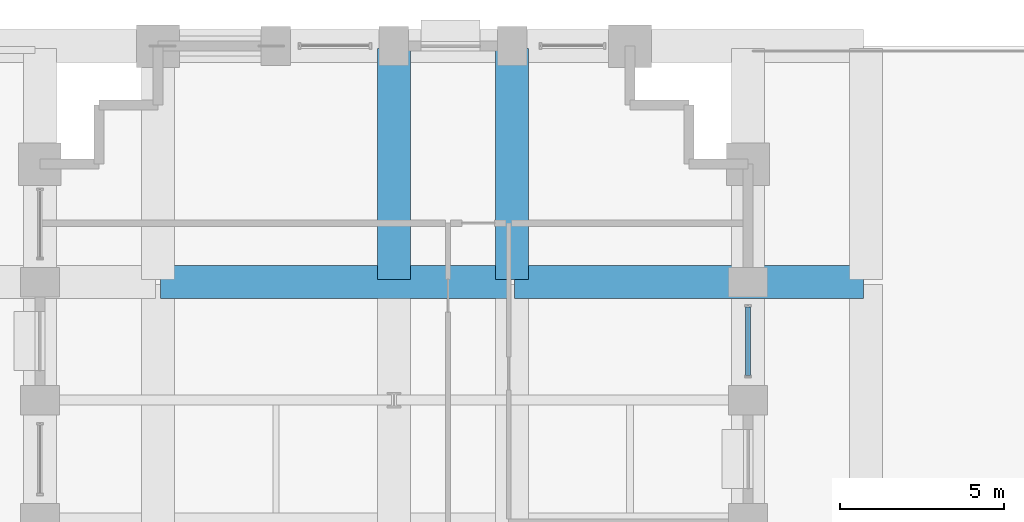
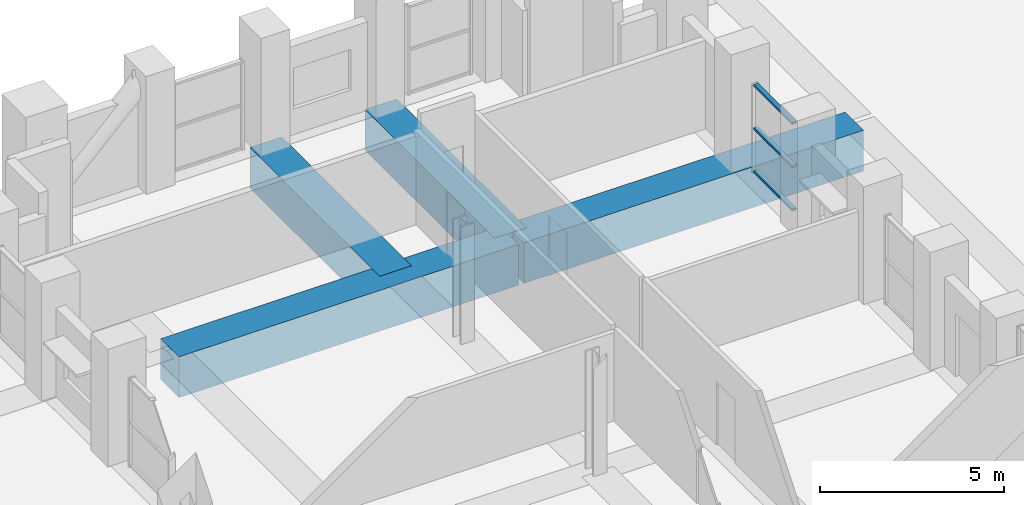
# One storey, part 26 of 39: 4 beams, 3 members, 1 element without a shape of its own.
"""IFC4 building model written with IfcOpenShell, lengths in metres."""

from ifc_helpers import new_model, si_unit, direction, frame, origin, origin_2d, place, context, subcontext, project, spatial, rectangle, hollow_rectangle, extrude, material, layer, layer_set, material_profile, profile_set, type_object, element, aggregate, save


model = new_model("IFC4")

# Units and contexts
model_context = context("Model", 3, precision=1e-05, world=origin(), true_north=direction((0.0, 1.0)))
body_context = subcontext(model_context, "Body", "Model", "MODEL_VIEW")
ifc_project = project(units=[si_unit("LENGTHUNIT", "METRE"), si_unit("AREAUNIT", "SQUARE_METRE"), si_unit("VOLUMEUNIT", "CUBIC_METRE"), si_unit("PLANEANGLEUNIT", "RADIAN"), si_unit("MASSUNIT", "GRAM", prefix="KILO")], contexts=[model_context])

# Site, building, storey
site_placement = place(None, origin())
site = spatial("IfcSite", under=ifc_project, at=site_placement, CompositionType="ELEMENT")
building_placement = place(site_placement, origin())
building = spatial("IfcBuilding", under=site, at=building_placement, Name="Solnavia Interchange Tower", CompositionType="ELEMENT")
storey_placement = place(building_placement, frame((0.0, 0.0, 24.0)))
storey = spatial("IfcBuildingStorey", under=building, at=storey_placement, Name="L05", CompositionType="ELEMENT", Elevation=24.0)

# Beams
ifc_material_1 = material(Name="Concrete C60/75", Category="concrete")
ifc_material_profile_1 = material_profile(ifc_material_1, rectangle(XDim=1.0, YDim=1.35009765625, at=origin_2d()), Name="RC 1000x1350")
ifc_profile_set_1 = profile_set([ifc_material_profile_1], Name="Concrete C60/75")
beam_type = type_object("IfcBeamType", Name="Beam-Transfer-RC1000x1350", PredefinedType="BEAM", material=ifc_profile_set_1)
for number, where, z_axis, x_axis, name in (
    (1, (10.8798828125, 43.199951171875, -0.675048828125), (1.0, 0.0, 0.0), (0.0, 1.0, 0.0), "TRB-L05-25 North primary transfer girder"),
    (2, (21.679931640625, 43.199951171875, -0.675048828125), (1.0, 0.0, 0.0), (0.0, 1.0, 0.0), "TRB-L05-26 North primary transfer girder"),
):
    element("IfcBeam", number, at=place(storey_placement, frame(where, z_axis=z_axis, x_axis=x_axis)), inside=storey, type_object=beam_type, Name=name, PredefinedType="BEAM", context=body_context, shape_type="SweptSolid", body=[
        extrude(rectangle(XDim=1.0, YDim=1.35009765625, at=origin_2d()), origin(), (0.0, 0.0, 1.0), 10.64013671875),
    ])
for number, where, z_axis, x_axis, name in (
    (3, (21.60009765625, 43.280029296875, -0.675048828125), (0.0, 1.0, 0.0), (-1.0, 0.0, 0.0), "TRB-L05-42 North-east N-S primary transfer girder"),
    (4, (18.0, 43.280029296875, -0.675048828125), (0.0, 1.0, 0.0), (-1.0, 0.0, 0.0), "TRB-L05-61 North spine transfer girder"),
):
    element("IfcBeam", number, at=place(storey_placement, frame(where, z_axis=z_axis, x_axis=x_axis)), inside=storey, type_object=beam_type, Name=name, PredefinedType="BEAM", context=body_context, shape_type="SweptSolid", body=[
        extrude(rectangle(XDim=1.0, YDim=1.35009765625, at=origin_2d()), origin(), (0.0, 0.0, 1.0), 7.0400390625),
    ])

# Curtain wall, members
ifc_material_2 = material(Name="Aluminium Alloy 6063-T6", Category="aluminium")
ifc_layer = layer(ifc_material_2, 0.219970703125)
ifc_layer_set = layer_set([ifc_layer], Name="Aluminium Alloy 6063-T6")
curtain_wall_type = type_object("IfcCurtainWallType", Name="CurtainWall-Tower-CTW3", PredefinedType="NOTDEFINED", material=ifc_layer_set)
curtain_wall_placement = place(storey_placement, origin())
curtain_wall = element("IfcCurtainWall", 5, at=curtain_wall_placement, inside=storey, type_object=curtain_wall_type, Name="CTW-L05-S36 CTW-3 curtain wall", PredefinedType="NOTDEFINED")
ifc_material_profile_2 = material_profile(ifc_material_2, hollow_rectangle(XDim=0.06494140625, YDim=0.139892578125, WallThickness=0.00390625, at=origin_2d()), Name="ALU 140x65x4")
ifc_profile_set_2 = profile_set([ifc_material_profile_2], Name="Aluminium Alloy 6063-T6")
member_type = type_object("IfcMemberType", Name="CW-Transom-CWT-3", PredefinedType="USERDEFINED", material=ifc_profile_set_2)
member_1_placement = place(storey_placement, frame((28.800048828125, 40.35498046875, 0.032470703125), z_axis=(0.0, 1.0, 0.0), x_axis=(0.0, 0.0, 1.0)))
member_1 = element("IfcMember", 6, at=member_1_placement, type_object=member_type, Name="CTW-3 transom 1.1", ObjectType="TRANSOM", PredefinedType="USERDEFINED", context=body_context, shape_type="SweptSolid", body=[
    extrude(hollow_rectangle(XDim=0.06494140625, YDim=0.139892578125, WallThickness=0.00390625, at=origin_2d()), origin(), (0.0, 0.0, 1.0), 2.090087890625),
])
member_2_placement = place(storey_placement, frame((28.800048828125, 40.35498046875, 1.465087890625), z_axis=(0.0, 1.0, 0.0), x_axis=(0.0, 0.0, 1.0)))
member_2 = element("IfcMember", 7, at=member_2_placement, type_object=member_type, Name="CTW-3 transom 1.2", ObjectType="TRANSOM", PredefinedType="USERDEFINED", context=body_context, shape_type="SweptSolid", body=[
    extrude(hollow_rectangle(XDim=0.06494140625, YDim=0.139892578125, WallThickness=0.00390625, at=origin_2d()), origin(), (0.0, 0.0, 1.0), 2.090087890625),
])
member_3_placement = place(storey_placement, frame((28.800048828125, 40.35498046875, 2.8974609375), z_axis=(0.0, 1.0, 0.0), x_axis=(0.0, 0.0, 1.0)))
member_3 = element("IfcMember", 8, at=member_3_placement, type_object=member_type, Name="CTW-3 transom 1.3", ObjectType="TRANSOM", PredefinedType="USERDEFINED", context=body_context, shape_type="SweptSolid", body=[
    extrude(hollow_rectangle(XDim=0.06494140625, YDim=0.139892578125, WallThickness=0.00390625, at=origin_2d()), origin(), (0.0, 0.0, 1.0), 2.090087890625),
])
aggregate(curtain_wall, [member_1, member_2, member_3])

save(model, "model.ifc")
